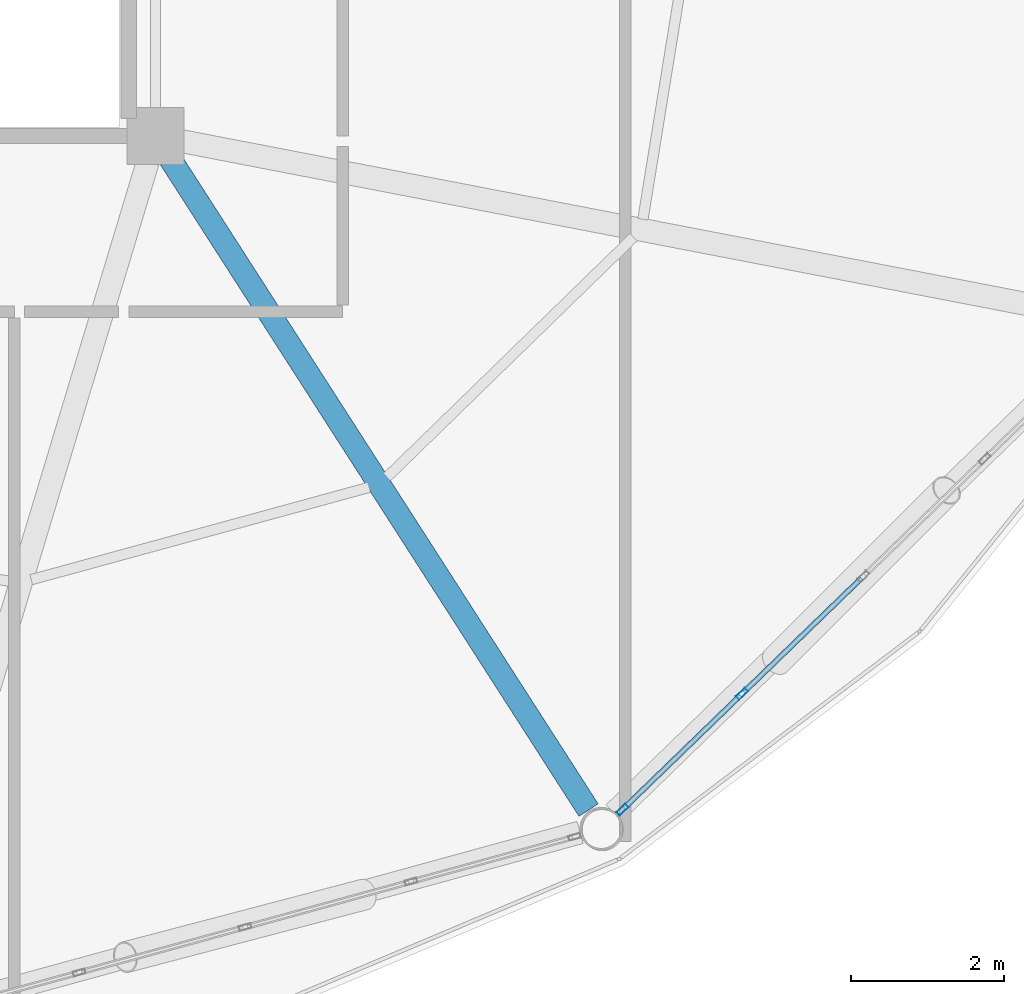
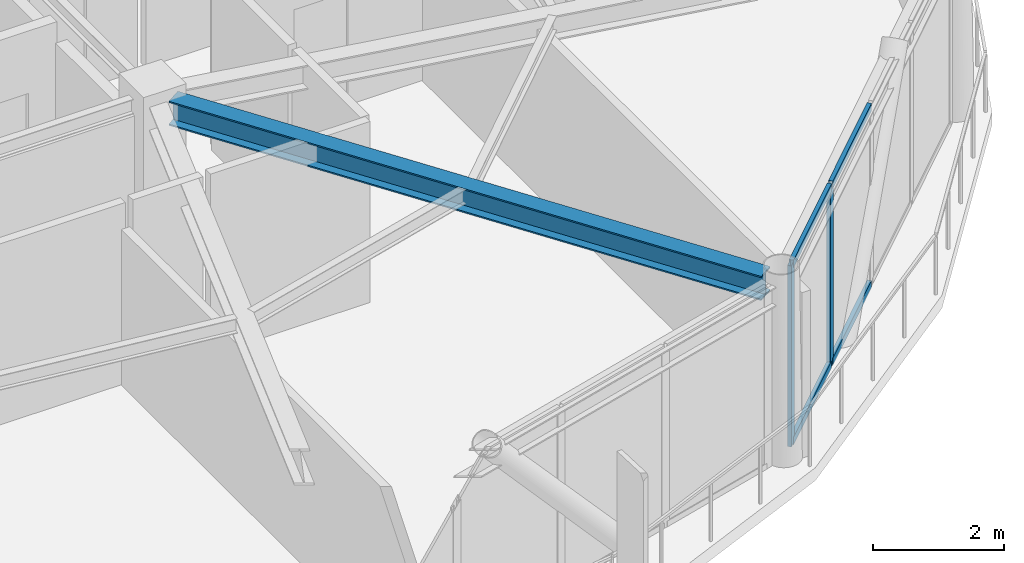
# One storey, part 8 of 27: 6 members, 1 beam, 1 element without a shape of its own.
"""IFC4 building model written with IfcOpenShell, lengths in metres."""

import ifcopenshell
import ifcopenshell.guid

model = None  # the IFC model being written
_history = None  # IfcOwnerHistory: only IFC2X3 demands one
_inside = {}  # id of a spatial element -> (the spatial element, [elements in it])
_under = {}  # id of a project, library or spatial element -> (it, [spatial elements below it])
_declared = {}  # id of a project -> (the project, [libraries it declares])
_typed = {}  # id of a type object -> (the type object, [elements of that type])
_made_of = {}  # id of a material, layer set ... -> (it, [elements and type objects made of it])


def new_model(schema):
    """Start an empty IFC model of exactly this schema.

    Asked for "IFC4X3", IfcOpenShell would pick the latest addendum, in which some entities
    have other attributes; the version numbers below select the first issue.
    IFC2X3 requires an IfcOwnerHistory on every rooted entity: one is made here for all.
    """
    global model, _history
    if schema == "IFC4X3":
        model = ifcopenshell.file(schema_version=(4, 3, 0, 0))
    else:
        model = ifcopenshell.file(schema=schema)
    _inside.clear()
    _under.clear()
    _declared.clear()
    _typed.clear()
    _made_of.clear()
    _history = None
    if model.schema == "IFC2X3":
        org = make("IfcOrganization", Name="unknown")
        user = make(
            "IfcPersonAndOrganization",
            ThePerson=make("IfcPerson", FamilyName="unknown"),
            TheOrganization=org,
        )
        app = make(
            "IfcApplication",
            ApplicationDeveloper=org,
            Version="unknown",
            ApplicationFullName="unknown",
            ApplicationIdentifier="unknown",
        )
        _history = make(
            "IfcOwnerHistory",
            OwningUser=user,
            OwningApplication=app,
            ChangeAction="ADDED",
            CreationDate=0,
        )
    return model


def make(cls, **values):
    """One entity of the class cls with the attributes given. An attribute that is None is left unset."""
    return model.create_entity(
        cls, **{name: value for name, value in values.items() if value is not None}
    )


def rooted(cls, **values):
    """An entity with a GlobalId (a new one), such as an element, a storey or a relation."""
    return make(cls, GlobalId=ifcopenshell.guid.new(), OwnerHistory=_history, **values)


def si_unit(unit_type, name, prefix=None):
    """IfcSIUnit, for example si_unit("LENGTHUNIT", "METRE", prefix="MILLI")."""
    return make("IfcSIUnit", UnitType=unit_type, Prefix=prefix, Name=name)


def assignment(units):
    """IfcUnitAssignment: the units of a project."""
    return None if units is None else make("IfcUnitAssignment", Units=units)


def point(xyz):
    """IfcCartesianPoint."""
    return None if xyz is None else make("IfcCartesianPoint", Coordinates=xyz)


def direction(xyz):
    """IfcDirection."""
    return None if xyz is None else make("IfcDirection", DirectionRatios=xyz)


def frame(location, z_axis=None, x_axis=None):
    """IfcAxis2Placement3D, a coordinate frame: its origin and axes. An axis left out is left unset."""
    return make(
        "IfcAxis2Placement3D",
        Location=point(location),
        Axis=direction(z_axis),
        RefDirection=direction(x_axis),
    )


def frame_2d(location, x_axis=None):
    """IfcAxis2Placement2D, a coordinate frame in the plane: its origin and x axis."""
    return make(
        "IfcAxis2Placement2D", Location=point(location), RefDirection=direction(x_axis)
    )


def origin():
    """The frame at (0, 0, 0) with its axes left unset."""
    return frame((0.0, 0.0, 0.0))


def origin_2d():
    """The frame at (0, 0) in the plane with its x axis left unset."""
    return frame_2d((0.0, 0.0))


def place(relative_to, where):
    """IfcLocalPlacement: puts the frame where relative to a parent placement (None: the world)."""
    return make(
        "IfcLocalPlacement", PlacementRelTo=relative_to, RelativePlacement=where
    )


def context(
    kind, dimensions, precision=None, world=None, true_north=None, identifier=None
):
    """IfcGeometricRepresentationContext, for example the 3D "Model" context."""
    return make(
        "IfcGeometricRepresentationContext",
        ContextIdentifier=identifier,
        ContextType=kind,
        CoordinateSpaceDimension=dimensions,
        Precision=precision,
        WorldCoordinateSystem=world,
        TrueNorth=true_north,
    )


def subcontext(parent, identifier, kind, view, scale=None):
    """IfcGeometricRepresentationSubContext, for example "Body" below "Model"."""
    return make(
        "IfcGeometricRepresentationSubContext",
        ContextIdentifier=identifier,
        ContextType=kind,
        ParentContext=parent,
        TargetScale=scale,
        TargetView=view,
    )


def project(units=None, contexts=None):
    """IfcProject with its units and contexts."""
    return rooted(
        "IfcProject",
        Name="project",
        RepresentationContexts=contexts,
        UnitsInContext=assignment(units),
    )


def spatial(cls, under=None, at=None, **own):
    """A site, building, storey or space (cls), placed at a placement, below another one or the project."""
    s = rooted(cls, ObjectPlacement=at, **own)
    if under is not None:
        _under.setdefault(under.id(), (under, []))[1].append(s)
    return s


def profile(cls, at=None, kind="AREA", **sizes):
    """A parametric profile (cls). Its sizes go by their IFC names, for example OverallWidth=200.0."""
    return make(cls, ProfileType=kind, Position=at, **sizes)


def hollow_rectangle(**sizes):
    """IfcRectangleHollowProfileDef."""
    return profile("IfcRectangleHollowProfileDef", **sizes)


def i_section(**sizes):
    """IfcIShapeProfileDef."""
    return profile("IfcIShapeProfileDef", **sizes)


def extrude(swept, where, along, depth):
    """IfcExtrudedAreaSolid: the profile swept, set in the frame where, extruded along a direction by depth."""
    return make(
        "IfcExtrudedAreaSolid",
        SweptArea=swept,
        Position=where,
        ExtrudedDirection=direction(along),
        Depth=depth,
    )


def shape(context_of_items, identifier, shape_type, items):
    """IfcShapeRepresentation: the items that make up one representation, for example the "Body"."""
    return make(
        "IfcShapeRepresentation",
        ContextOfItems=context_of_items,
        RepresentationIdentifier=identifier,
        RepresentationType=shape_type,
        Items=items,
    )


def material(Name=None, Category=None):
    """IfcMaterial."""
    return make("IfcMaterial", Name=Name, Category=Category)


def layer(
    of_material, thickness, ventilated=None, Name=None, Category=None, Priority=None
):
    """IfcMaterialLayer: one layer of a wall or slab, of a material (None: an air gap)."""
    return make(
        "IfcMaterialLayer",
        Material=of_material,
        LayerThickness=thickness,
        IsVentilated=ventilated,
        Name=Name,
        Category=Category,
        Priority=Priority,
    )


def layer_set(layers, Name=None):
    """IfcMaterialLayerSet."""
    return make("IfcMaterialLayerSet", MaterialLayers=layers, LayerSetName=Name)


def material_profile(
    of_material, cross_section, Name=None, Category=None, Priority=None
):
    """IfcMaterialProfile: a cross section and its material."""
    return make(
        "IfcMaterialProfile",
        Name=Name,
        Material=of_material,
        Profile=cross_section,
        Priority=Priority,
        Category=Category,
    )


def profile_set(profiles, Name=None, composite=None):
    """IfcMaterialProfileSet."""
    return make(
        "IfcMaterialProfileSet",
        Name=Name,
        MaterialProfiles=profiles,
        CompositeProfile=composite,
    )


def made_of(thing, what):
    """Note that an element or type object is made of a material, layer set ...; save() writes the relation."""
    if what is not None:
        _made_of.setdefault(what.id(), (what, []))[1].append(thing)
    return thing


def type_object(cls, material=None, **own):
    """A type object (cls), such as IfcWallType, which elements share."""
    return made_of(rooted(cls, **own), material)


def element(
    cls,
    number,
    at=None,
    inside=None,
    cuts=None,
    type_object=None,
    material=None,
    context=None,
    identifier="Body",
    shape_type=None,
    held_by="IfcProductDefinitionShape",
    body=None,
    shapes=None,
    **own,
):
    """One element of the class cls, such as IfcWall. Its Tag is "e" and its number.

    at: its placement. inside: the storey or other place that contains it. cuts: it is an
    opening in that element (IfcRelVoidsElement). A single representation is given by context,
    identifier, shape_type and body (its items); several are given by shapes. held_by: the class
    of the entity that holds the representations. save() writes the other relations.
    """
    e = rooted(cls, Tag="e%d" % number, ObjectPlacement=at, **own)
    if body is not None:
        shapes = [shape(context, identifier, shape_type, body)]
    if shapes is not None:
        e.Representation = make(held_by, Representations=shapes)
    if inside is not None:
        _inside.setdefault(inside.id(), (inside, []))[1].append(e)
    if cuts is not None:
        rooted(
            "IfcRelVoidsElement", RelatingBuildingElement=cuts, RelatedOpeningElement=e
        )
    if type_object is not None:
        _typed.setdefault(type_object.id(), (type_object, []))[1].append(e)
    return made_of(e, material)


def aggregate(whole, parts):
    """IfcRelAggregates: a whole, such as a stair, and the parts it consists of."""
    return rooted("IfcRelAggregates", RelatingObject=whole, RelatedObjects=parts)


def save(model, path):
    """Write the relations noted so far, then the file.

    IfcRelAggregates (storeys below a building ...), IfcRelContainedInSpatialStructure (elements
    in a storey), IfcRelDefinesByType, IfcRelAssociatesMaterial and IfcRelDeclares: one each for
    every whole, place, type object, material and project.
    """
    for whole, parts in _under.values():
        aggregate(whole, parts)
    for where, things in _inside.values():
        rooted(
            "IfcRelContainedInSpatialStructure",
            RelatedElements=things,
            RelatingStructure=where,
        )
    for kind, things in _typed.values():
        rooted("IfcRelDefinesByType", RelatedObjects=things, RelatingType=kind)
    for what, things in _made_of.values():
        rooted("IfcRelAssociatesMaterial", RelatedObjects=things, RelatingMaterial=what)
    for by, libraries in _declared.values():
        rooted("IfcRelDeclares", RelatingContext=by, RelatedDefinitions=libraries)
    model.write(path)


model = new_model("IFC4")

# Units and contexts
model_context = context("Model", 3, precision=1e-05, world=origin(), true_north=direction((0.0, 1.0)))
body_context = subcontext(model_context, "Body", "Model", "MODEL_VIEW")
ifc_project = project(units=[si_unit("LENGTHUNIT", "METRE"), si_unit("AREAUNIT", "SQUARE_METRE"), si_unit("VOLUMEUNIT", "CUBIC_METRE"), si_unit("PLANEANGLEUNIT", "RADIAN"), si_unit("MASSUNIT", "GRAM", prefix="KILO")], contexts=[model_context])

# Site, building, storey
site_placement = place(None, origin())
site = spatial("IfcSite", under=ifc_project, at=site_placement, CompositionType="ELEMENT")
building_placement = place(site_placement, origin())
building = spatial("IfcBuilding", under=site, at=building_placement, Name="Varnakorn Sky Granary", CompositionType="ELEMENT")
storey_placement = place(building_placement, frame((0.0, 0.0, 229.199951171875)))
storey = spatial("IfcBuildingStorey", under=building, at=storey_placement, Name="L58", CompositionType="ELEMENT", Elevation=229.199951171875)

# Beam
ifc_material_1 = material(Name="Steel S355JR", Category="steel")
ifc_material_profile_1 = material_profile(ifc_material_1, i_section(OverallWidth=0.300048828125, OverallDepth=0.449951171875, WebThickness=0.013916015625, FlangeThickness=0.02587890625, at=origin_2d()), Name="HE 450 B")
ifc_profile_set_1 = profile_set([ifc_material_profile_1], Name="Steel S355JR")
beam_type = type_object("IfcBeamType", Name="BM-RAD-Z5", PredefinedType="BEAM", material=ifc_profile_set_1)
beam_placement = place(storey_placement, frame((8.5419921875, -6.898681640625, 3.135009765625), z_axis=(0.54051782584, -0.84133256204, 0.0), x_axis=(0.84133256204, 0.54051782584, 0.0)))
element("IfcBeam", 1, at=beam_placement, inside=storey, type_object=beam_type, Name="Radial Floor Girder RG11 L58", PredefinedType="BEAM", context=body_context, shape_type="SweptSolid", body=[
    extrude(i_section(OverallWidth=0.300048828125, OverallDepth=0.449951171875, WebThickness=0.013916015625, FlangeThickness=0.02587890625, at=origin_2d()), origin(), (0.0, 0.0, 1.0), 10.139404296875),
])

# Curtain wall, members
ifc_material_2 = material(Name="Anodised Bronze Aluminium Alloy 6063-T6", Category="aluminium")
ifc_layer = layer(ifc_material_2, 0.169921875, Name="Anodised Bronze Aluminium Alloy 6063-T6")
ifc_layer_set = layer_set([ifc_layer], Name="Anodised Bronze Aluminium Alloy 6063-T6")
curtain_wall_type = type_object("IfcCurtainWallType", Name="CW-LAB-1", PredefinedType="USERDEFINED", material=ifc_layer_set)
curtain_wall_placement = place(storey_placement, origin())
curtain_wall = element("IfcCurtainWall", 2, at=curtain_wall_placement, inside=storey, type_object=curtain_wall_type, Name="Unitised Curtain Wall CW5 CW-L58-B11", ObjectType="CURTAIN WALL", PredefinedType="USERDEFINED")
ifc_material_profile_2 = material_profile(ifc_material_2, hollow_rectangle(XDim=0.06494140625, YDim=0.159912109375, WallThickness=0.00341796875, at=origin_2d()), Name="ALU MULL 65x160")
ifc_profile_set_2 = profile_set([ifc_material_profile_2], Name="Anodised Bronze Aluminium Alloy 6063-T6")
member_type_1 = type_object("IfcMemberType", Name="CW-LAB-1-MULL", PredefinedType="MULLION", material=ifc_profile_set_2)
member_1_placement = place(storey_placement, frame((16.032470703125, -13.906005859375, 0.0), z_axis=(0.0, 0.0, 1.0), x_axis=(0.695640153276, -0.718390407195, 0.0)))
member_1 = element("IfcMember", 3, at=member_1_placement, type_object=member_type_1, Name="CW5 mullion 4", PredefinedType="MULLION", context=body_context, shape_type="SweptSolid", body=[
    extrude(hollow_rectangle(XDim=0.06494140625, YDim=0.159912109375, WallThickness=0.00341796875, at=origin_2d()), origin(), (0.0, 0.0, 1.0), 3.360107421875),
])
member_2_placement = place(storey_placement, frame((14.466796875, -15.42236328125, 0.0), z_axis=(0.0, 0.0, 1.0), x_axis=(0.695640153276, -0.718390407195, 0.0)))
member_2 = element("IfcMember", 4, at=member_2_placement, type_object=member_type_1, Name="CW5 mullion 5", PredefinedType="MULLION", context=body_context, shape_type="SweptSolid", body=[
    extrude(hollow_rectangle(XDim=0.06494140625, YDim=0.159912109375, WallThickness=0.00341796875, at=origin_2d()), origin(), (0.0, 0.0, 1.0), 3.360107421875),
])
ifc_material_profile_3 = material_profile(ifc_material_2, hollow_rectangle(XDim=0.070068359375, YDim=0.139892578125, WallThickness=0.00341796875, at=origin_2d()), Name="ALU TRAN 70x140")
ifc_profile_set_3 = profile_set([ifc_material_profile_3], Name="Anodised Bronze Aluminium Alloy 6063-T6")
member_type_2 = type_object("IfcMemberType", Name="CW-LAB-1-TRAN", PredefinedType="USERDEFINED", material=ifc_profile_set_3)
member_3_placement = place(storey_placement, frame((17.598388671875, -12.389892578125, 0.03515625), z_axis=(-0.718385817719, -0.695644892815, 0.0), x_axis=(0.695644892815, -0.718385817719, 0.0)))
member_3 = element("IfcMember", 5, at=member_3_placement, type_object=member_type_2, Name="CW5 transom 3.1", ObjectType="TRANSOM", PredefinedType="USERDEFINED", context=body_context, shape_type="SweptSolid", body=[
    extrude(hollow_rectangle(XDim=0.070068359375, YDim=0.139892578125, WallThickness=0.00341796875, at=origin_2d()), origin(), (0.0, 0.0, 1.0), 2.147216796875),
])
member_4_placement = place(storey_placement, frame((17.598388671875, -12.389892578125, 3.324951171875), z_axis=(-0.718385817719, -0.695644892815, 0.0), x_axis=(0.695644892815, -0.718385817719, 0.0)))
member_4 = element("IfcMember", 6, at=member_4_placement, type_object=member_type_2, Name="CW5 transom 3.2", ObjectType="TRANSOM", PredefinedType="USERDEFINED", context=body_context, shape_type="SweptSolid", body=[
    extrude(hollow_rectangle(XDim=0.070068359375, YDim=0.139892578125, WallThickness=0.00341796875, at=origin_2d()), origin(), (0.0, 0.0, 1.0), 2.147216796875),
])
member_5_placement = place(storey_placement, frame((16.00927734375, -13.9287109375, 0.03515625), z_axis=(-0.718443930311, -0.695584875482, 0.0), x_axis=(0.695584875482, -0.718443930311, 0.0)))
member_5 = element("IfcMember", 7, at=member_5_placement, type_object=member_type_2, Name="CW5 transom 4.1", ObjectType="TRANSOM", PredefinedType="USERDEFINED", context=body_context, shape_type="SweptSolid", body=[
    extrude(hollow_rectangle(XDim=0.070068359375, YDim=0.139892578125, WallThickness=0.00341796875, at=origin_2d()), origin(), (0.0, 0.0, 1.0), 2.11474609375),
])
member_6_placement = place(storey_placement, frame((16.00927734375, -13.9287109375, 3.324951171875), z_axis=(-0.718443930311, -0.695584875482, 0.0), x_axis=(0.695584875482, -0.718443930311, 0.0)))
member_6 = element("IfcMember", 8, at=member_6_placement, type_object=member_type_2, Name="CW5 transom 4.2", ObjectType="TRANSOM", PredefinedType="USERDEFINED", context=body_context, shape_type="SweptSolid", body=[
    extrude(hollow_rectangle(XDim=0.070068359375, YDim=0.139892578125, WallThickness=0.00341796875, at=origin_2d()), origin(), (0.0, 0.0, 1.0), 2.11474609375),
])
aggregate(curtain_wall, [member_1, member_2, member_3, member_4, member_5, member_6])

save(model, "model.ifc")
